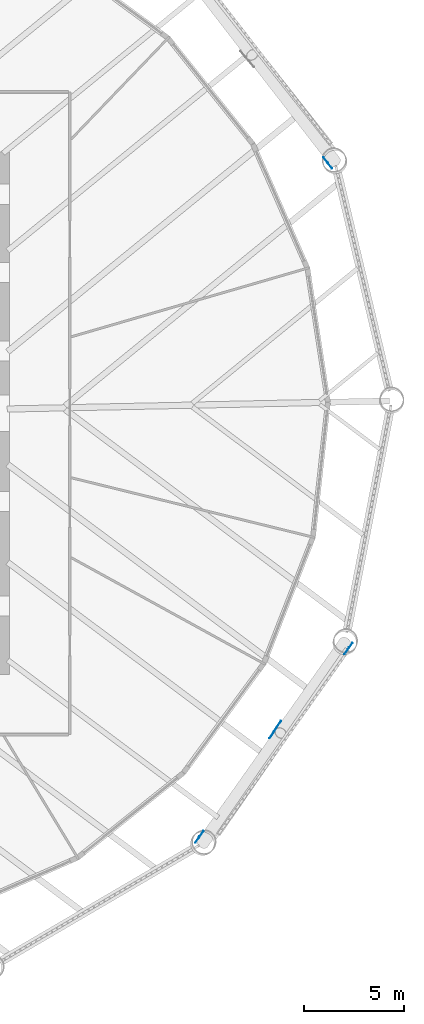
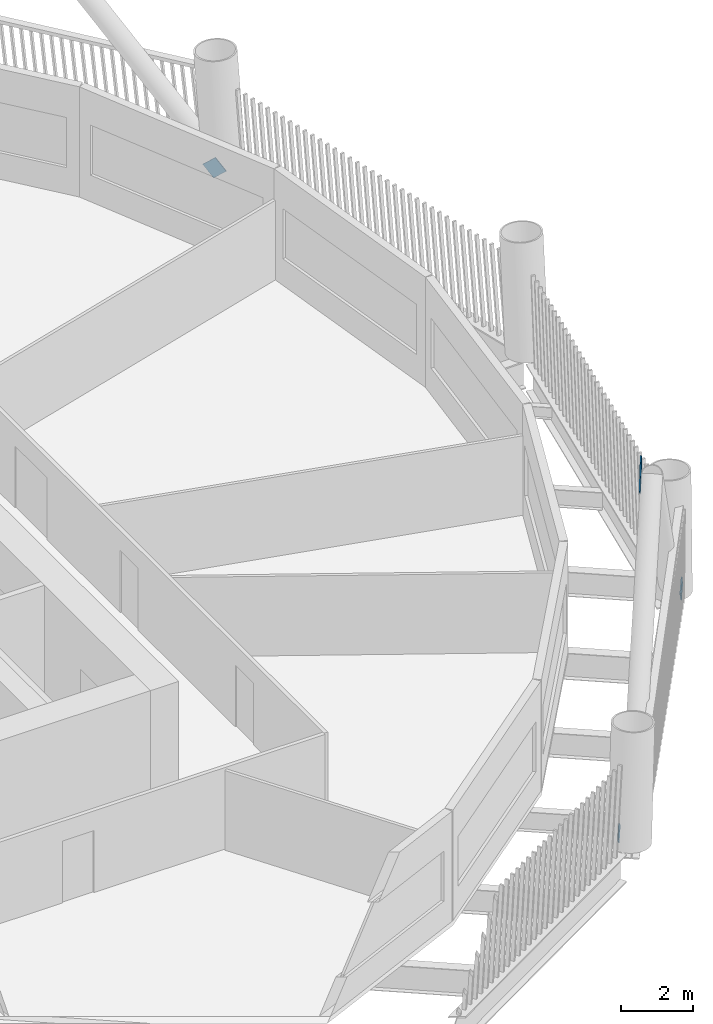
# One storey, part 11 of 22: 4 discrete accessories.
"""IFC4 building model written with IfcOpenShell, lengths in metres."""

from ifc_helpers import new_model, si_unit, direction, frame, origin, origin_2d, place, context, subcontext, project, spatial, rectangle, extrude, material, material_profile, profile_set, type_object, element, save


model = new_model("IFC4")

# Units and contexts
model_context = context("Model", 3, precision=1e-05, world=origin(), true_north=direction((0.0, 1.0)))
body_context = subcontext(model_context, "Body", "Model", "MODEL_VIEW")
ifc_project = project(units=[si_unit("LENGTHUNIT", "METRE"), si_unit("AREAUNIT", "SQUARE_METRE"), si_unit("VOLUMEUNIT", "CUBIC_METRE"), si_unit("PLANEANGLEUNIT", "RADIAN"), si_unit("MASSUNIT", "GRAM", prefix="KILO")], contexts=[model_context])

# Site, building, storey
site_placement = place(None, origin())
site = spatial("IfcSite", under=ifc_project, at=site_placement, CompositionType="ELEMENT")
building_placement = place(site_placement, origin())
building = spatial("IfcBuilding", under=site, at=building_placement, Name="Tarsis Ring Headquarters", CompositionType="ELEMENT")
storey_placement = place(building_placement, frame((0.0, 0.0, 40.0)))
storey = spatial("IfcBuildingStorey", under=building, at=storey_placement, Name="L07", CompositionType="ELEMENT", Elevation=40.0)

# Discrete accessories
ifc_material = material(Name="Structural steel S355", Category="steel")
ifc_material_profile = material_profile(ifc_material, rectangle(XDim=0.02490234375, YDim=0.5, at=origin_2d()), Name="PL 25x500")
ifc_profile_set = profile_set([ifc_material_profile], Name="Structural steel S355")
discrete_accessory_type = type_object("IfcDiscreteAccessoryType", Name="Gusset plate Exo brace 25", PredefinedType="BRACKET", material=ifc_profile_set)
discrete_accessory_1_placement = place(storey_placement, frame((19.371337890625, -21.228515625, 0.0), z_axis=(0.376825211515, 0.533022190381, 0.757555347501), x_axis=(-0.816553189823, 0.577270203795, 0.0)))
element("IfcDiscreteAccessory", 1, at=discrete_accessory_1_placement, inside=storey, type_object=discrete_accessory_type, Name="Gusset plate GP5", PredefinedType="BRACKET", context=body_context, shape_type="SweptSolid", body=[
    extrude(rectangle(XDim=0.02490234375, YDim=0.5, at=origin_2d()), origin(), (0.0, 0.0, 1.0), 0.500244140625),
])
discrete_accessory_2_placement = place(storey_placement, frame((23.065673828125, -16.0263671875, 7.421142578125), z_axis=(0.355230252124, 0.547616120628, 0.757580393361), x_axis=(-0.838947440946, 0.544212450547, 0.0)))
element("IfcDiscreteAccessory", 2, at=discrete_accessory_2_placement, inside=storey, type_object=discrete_accessory_type, Name="Gusset plate GP5", PredefinedType="BRACKET", context=body_context, shape_type="SweptSolid", body=[
    extrude(rectangle(XDim=0.02490234375, YDim=0.5, at=origin_2d()), origin(), (0.0, 0.0, 1.0), 1.0),
])
discrete_accessory_3_placement = place(storey_placement, frame((26.9697265625, -11.600341796875, 0.0), z_axis=(-0.334893515323, -0.471584746067, 0.815753737762), x_axis=(0.815327202638, -0.579000477235, 0.0)))
element("IfcDiscreteAccessory", 3, at=discrete_accessory_3_placement, inside=storey, type_object=discrete_accessory_type, Name="Gusset plate GP5", PredefinedType="BRACKET", context=body_context, shape_type="SweptSolid", body=[
    extrude(rectangle(XDim=0.02490234375, YDim=0.5, at=origin_2d()), origin(), (0.0, 0.0, 1.0), 0.5),
])
discrete_accessory_4_placement = place(storey_placement, frame((25.958740234375, 12.330810546875, 0.0), z_axis=(-0.399787503538, 0.515965068669, 0.757594878499), x_axis=(-0.790478415243, -0.612489897904, 0.0)))
element("IfcDiscreteAccessory", 4, at=discrete_accessory_4_placement, inside=storey, type_object=discrete_accessory_type, Name="Gusset plate GP5", PredefinedType="BRACKET", context=body_context, shape_type="SweptSolid", body=[
    extrude(rectangle(XDim=0.02490234375, YDim=0.5, at=origin_2d()), origin(), (0.0, 0.0, 1.0), 0.500244140625),
])

save(model, "model.ifc")
